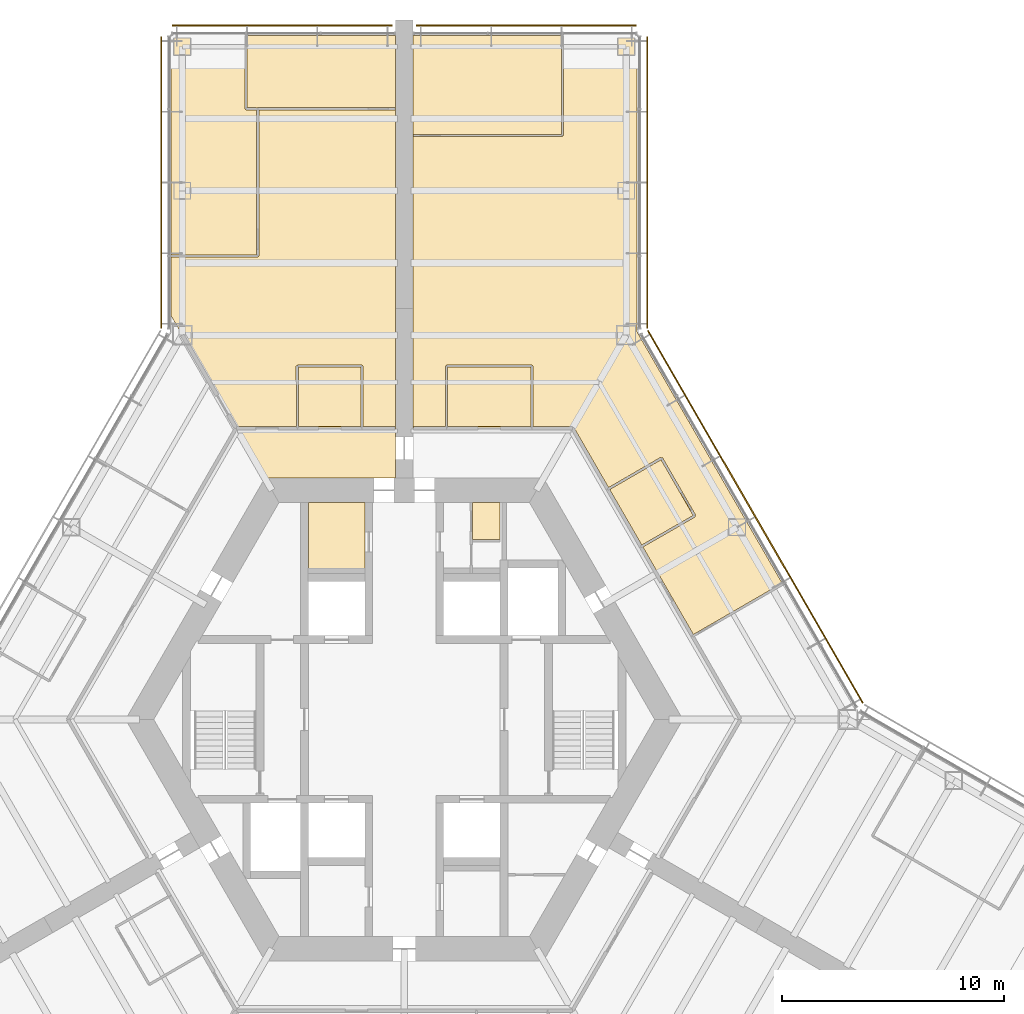
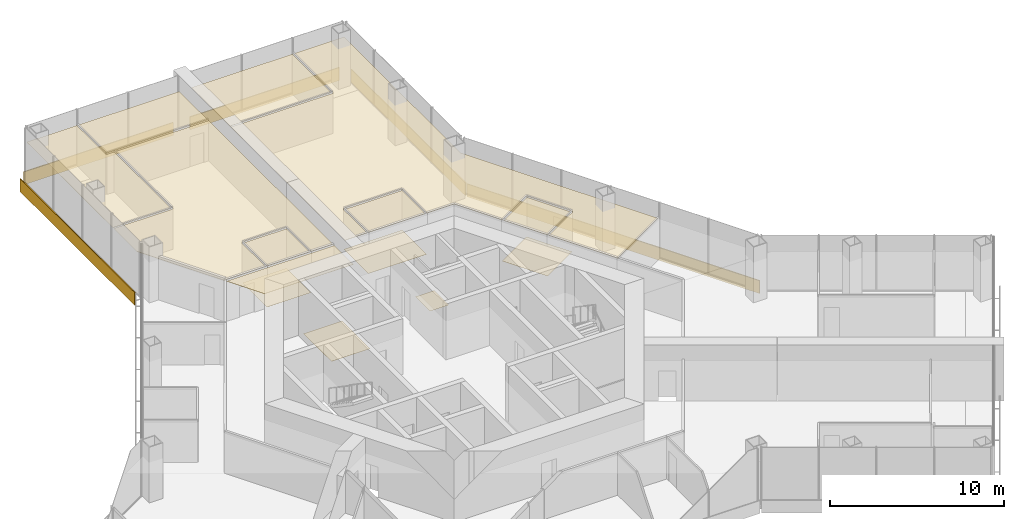
# One storey, part 18 of 18: 14 coverings, 5 shading devices.
"""IFC4 building model written with IfcOpenShell, lengths in metres."""

from ifc_helpers import new_model, si_unit, direction, frame, origin, origin_2d, place, context, subcontext, project, spatial, polyline, rectangle, outline, extrude, material, layer, layer_set, type_object, element, save


model = new_model("IFC4")

# Units and contexts
model_context = context("Model", 3, precision=1e-05, world=origin(), true_north=direction((0.0, 1.0)))
body_context = subcontext(model_context, "Body", "Model", "MODEL_VIEW")
ifc_project = project(units=[si_unit("LENGTHUNIT", "METRE"), si_unit("AREAUNIT", "SQUARE_METRE"), si_unit("VOLUMEUNIT", "CUBIC_METRE"), si_unit("PLANEANGLEUNIT", "RADIAN"), si_unit("MASSUNIT", "GRAM", prefix="KILO")], contexts=[model_context])

# Site, building, storey
site_placement = place(None, origin())
site = spatial("IfcSite", under=ifc_project, at=site_placement, CompositionType="ELEMENT")
building_placement = place(site_placement, origin())
building = spatial("IfcBuilding", under=site, at=building_placement, Name="Kasaneha Research Tower", CompositionType="ELEMENT")
storey_placement = place(building_placement, frame((0.0, 0.0, 111.89990234375)))
storey = spatial("IfcBuildingStorey", under=building, at=storey_placement, Name="L28", CompositionType="ELEMENT", Elevation=111.89990234375)

# Coverings
ifc_material_1 = material(Name="Gypsum ceiling board", Category="gypsum")
ifc_layer_1 = layer(ifc_material_1, 0.02001953125)
ifc_layer_set_1 = layer_set([ifc_layer_1], Name="Suspended ceiling 20")
covering_type_1 = type_object("IfcCoveringType", Name="Suspended ceiling 20", PredefinedType="CEILING", material=ifc_layer_set_1)
covering_1_placement = place(storey_placement, frame((0.0, 0.0, 2.800048828125)))
element("IfcCovering", 1, at=covering_1_placement, inside=storey, type_object=covering_type_1, Name="Ceiling L28-26", PredefinedType="CEILING", context=body_context, shape_type="SweptSolid", body=[
    extrude(outline(polyline([(1.954345703125, 13.199951171875), (1.9501953125, 15.875), (5.70703125, 15.875), (5.70263671875, 13.199951171875), (1.954345703125, 13.199951171875)])), origin(), (0.0, 0.0, 1.0), 0.02001953125),
])
covering_2_placement = place(storey_placement, frame((0.0, 0.0, 2.800048828125)))
element("IfcCovering", 2, at=covering_2_placement, inside=storey, type_object=covering_type_1, Name="Ceiling L28-27", PredefinedType="CEILING", context=body_context, shape_type="SweptSolid", body=[
    extrude(outline(polyline([(11.5732421875, 11.70458984375), (13.023193359375, 9.193359375), (10.704345703125, 7.859619140625), (9.2587890625, 10.363525390625), (11.5732421875, 11.70458984375)])), origin(), (0.0, 0.0, 1.0), 0.02001953125),
])
covering_3_placement = place(storey_placement, frame((0.0, 0.0, 2.800048828125)))
element("IfcCovering", 3, at=covering_3_placement, inside=storey, type_object=covering_type_1, Name="Ceiling L28-29", PredefinedType="CEILING", context=body_context, shape_type="SweptSolid", body=[
    extrude(outline(polyline([(7.13330078125, 30.820556640625), (7.13330078125, 30.800537109375), (7.083251953125, 30.800537109375), (7.083251953125, 26.37060546875), (0.419921875, 26.37060546875), (0.419921875, 26.320556640625), (0.39990234375, 26.320556640625), (0.39990234375, 30.820556640625), (7.13330078125, 30.820556640625)])), origin(), (0.0, 0.0, 1.0), 0.02001953125),
])
covering_4_placement = place(storey_placement, frame((0.0, 0.0, 2.800048828125)))
element("IfcCovering", 4, at=covering_4_placement, inside=storey, type_object=covering_type_1, Name="Ceiling L28-30", PredefinedType="CEILING", context=body_context, shape_type="SweptSolid", body=[
    extrude(outline(polyline([(13.092041015625, 9.1748046875), (13.091796875, 9.175048828125), (13.134765625, 9.199951171875), (11.634765625, 11.798095703125), (11.591796875, 11.773193359375), (11.591796875, 11.773193359375), (11.591552734375, 11.77294921875), (11.56640625, 11.816162109375), (9.208740234375, 10.449951171875), (7.642578125, 13.16259765625), (7.578125, 13.125244140625), (7.578125, 13.12548828125), (7.57763671875, 13.12548828125), (7.57763671875, 13.199951171875), (5.802734375, 13.199951171875), (5.806884765625, 15.9248046875), (5.757080078125, 15.925048828125), (5.757080078125, 15.925537109375), (5.757080078125, 15.925537109375), (5.757080078125, 15.97509765625), (1.89990234375, 15.97509765625), (1.89990234375, 15.925537109375), (1.899658203125, 15.925537109375), (1.899658203125, 15.925048828125), (1.85009765625, 15.9248046875), (1.8544921875, 13.199951171875), (0.419921875, 13.199951171875), (0.419921875, 13.12548828125), (0.39990234375, 13.12548828125), (0.39990234375, 26.320068359375), (0.419921875, 26.320068359375), (0.419921875, 26.2705078125), (7.13330078125, 26.2705078125), (7.13330078125, 26.320068359375), (7.133544921875, 26.320068359375), (7.133544921875, 26.320556640625), (7.183349609375, 26.320556640625), (7.183349609375, 30.800537109375), (7.1337890625, 30.800537109375), (7.1337890625, 30.820556640625), (10.5, 30.820556640625), (10.5, 17.45458984375), (17.055908203125, 6.09912109375), (17.055908203125, 6.09912109375), (17.03125, 6.14208984375), (13.031982421875, 3.828125), (10.75439453125, 7.77294921875), (13.116455078125, 9.131591796875), (13.091552734375, 9.174560546875), (13.092041015625, 9.1748046875)])), origin(), (0.0, 0.0, 1.0), 0.02001953125),
])
covering_5_placement = place(storey_placement, frame((0.0, 0.0, 2.800048828125)))
element("IfcCovering", 5, at=covering_5_placement, inside=storey, type_object=covering_type_1, Name="Ceiling L28-31", PredefinedType="CEILING", context=body_context, shape_type="SweptSolid", body=[
    extrude(outline(polyline([(-0.39990234375, 11.72509765625), (-0.39990234375, 10.875), (-6.278564453125, 10.875), (-7.534423828125, 13.050048828125), (-4.822021484375, 13.050048828125), (-4.8125, 13.050048828125), (-1.904541015625, 13.050048828125), (-1.89501953125, 13.050048828125), (-0.419921875, 13.050048828125), (-0.419921875, 13.125), (-0.39990234375, 13.125), (-0.39990234375, 12.72509765625), (-0.39990234375, 11.72509765625)])), origin(), (0.0, 0.0, 1.0), 0.02001953125),
])
covering_6_placement = place(storey_placement, frame((0.0, 0.0, 2.800048828125)))
element("IfcCovering", 6, at=covering_6_placement, inside=storey, type_object=covering_type_1, Name="Ceiling L28-32", PredefinedType="CEILING", context=body_context, shape_type="SweptSolid", body=[
    extrude(outline(polyline([(-4.7626953125, 13.199951171875), (-4.766845703125, 15.875), (-1.9501953125, 15.875), (-1.954345703125, 13.199951171875), (-4.7626953125, 13.199951171875)])), origin(), (0.0, 0.0, 1.0), 0.02001953125),
])
covering_7_placement = place(storey_placement, frame((0.0, 0.0, 2.800048828125)))
element("IfcCovering", 7, at=covering_7_placement, inside=storey, type_object=covering_type_1, Name="Ceiling L28-33", PredefinedType="CEILING", context=body_context, shape_type="SweptSolid", body=[
    extrude(outline(polyline([(-7.1337890625, 30.821044921875), (-7.1337890625, 30.800537109375), (-7.18359375, 30.800537109375), (-7.183349609375, 27.5205078125), (-7.13330078125, 27.5205078125), (-7.1337890625, 27.470458984375), (-6.654052734375, 27.466064453125), (-6.650146484375, 20.941162109375), (-10.5, 20.941162109375), (-10.5, 20.89111328125), (-10.50048828125, 30.820556640625), (-7.1337890625, 30.821044921875)])), origin(), (0.0, 0.0, 1.0), 0.02001953125),
])
covering_8_placement = place(storey_placement, frame((0.0, 0.0, 2.800048828125)))
element("IfcCovering", 8, at=covering_8_placement, inside=storey, type_object=covering_type_1, Name="Ceiling L28-34", PredefinedType="CEILING", context=body_context, shape_type="SweptSolid", body=[
    extrude(outline(polyline([(-0.39990234375, 27.5205078125), (-0.419921875, 27.5205078125), (-0.419921875, 27.570556640625), (-6.60400390625, 27.570556640625), (-6.60400390625, 27.5654296875), (-7.083251953125, 27.570068359375), (-7.083740234375, 30.800537109375), (-7.13330078125, 30.800537109375), (-7.13330078125, 30.820556640625), (-0.39990234375, 30.820556640625), (-0.39990234375, 27.5205078125)])), origin(), (0.0, 0.0, 1.0), 0.02001953125),
])
covering_9_placement = place(storey_placement, frame((0.0, 0.0, 2.800048828125)))
element("IfcCovering", 9, at=covering_9_placement, inside=storey, type_object=covering_type_1, Name="Ceiling L28-35", PredefinedType="CEILING", context=body_context, shape_type="SweptSolid", body=[
    extrude(outline(polyline([(-1.89990234375, 15.92529296875), (-1.89990234375, 15.97509765625), (-4.81689453125, 15.97509765625), (-4.81689453125, 15.925537109375), (-4.81689453125, 15.925048828125), (-4.866943359375, 15.9248046875), (-4.862548828125, 13.199951171875), (-7.5546875, 13.199951171875), (-7.5546875, 13.12548828125), (-7.577880859375, 13.12548828125), (-10.5, 18.1865234375), (-10.5, 20.841064453125), (-6.60009765625, 20.841064453125), (-6.60009765625, 20.890869140625), (-6.599609375, 20.890869140625), (-6.599609375, 20.89111328125), (-6.550048828125, 20.89111328125), (-6.553955078125, 27.470458984375), (-0.419921875, 27.470458984375), (-0.419921875, 27.52001953125), (-0.39990234375, 27.52001953125), (-0.39990234375, 13.12548828125), (-0.419921875, 13.12548828125), (-0.419921875, 13.199951171875), (-1.8544921875, 13.199951171875), (-1.85009765625, 15.9248046875), (-1.899658203125, 15.925048828125), (-1.899658203125, 15.92529296875), (-1.89990234375, 15.92529296875)])), origin(), (0.0, 0.0, 1.0), 0.02001953125),
])

# Shading devices
ifc_material_2 = material(Name="Terracotta", Category="masonry")
ifc_layer_2 = layer(ifc_material_2, 0.06005859375)
ifc_layer_set_2 = layer_set([ifc_layer_2], Name="Terracotta baguette screen")
shading_device_type = type_object("IfcShadingDeviceType", Name="Terracotta baguette screen", PredefinedType="USERDEFINED", material=ifc_layer_set_2)
shading_device_1_placement = place(storey_placement, frame((15.82275390625, 9.13525390625, -0.449951171875), z_axis=(0.0, 0.0, 1.0), x_axis=(-0.49999996188, 0.866025425793, 0.0)))
element("IfcShadingDevice", 10, at=shading_device_1_placement, inside=storey, type_object=shading_device_type, Name="Baguette screen L28 07", ObjectType="TERRACOTTA BAGUETTE SCREEN", PredefinedType="USERDEFINED", context=body_context, shape_type="SweptSolid", body=[
    extrude(rectangle(XDim=19.37841796875, YDim=0.06005859375, at=origin_2d()), origin(), (0.0, 0.0, 1.0), 0.89990234375),
])
shading_device_2_placement = place(storey_placement, frame((10.949951171875, 24.200927734375, -0.449951171875), z_axis=(0.0, 0.0, 1.0), x_axis=(0.0, 1.0, 0.0)))
element("IfcShadingDevice", 11, at=shading_device_2_placement, inside=storey, type_object=shading_device_type, Name="Baguette screen L28 08", ObjectType="TERRACOTTA BAGUETTE SCREEN", PredefinedType="USERDEFINED", context=body_context, shape_type="SweptSolid", body=[
    extrude(rectangle(XDim=13.13916015625, YDim=0.06005859375, at=origin_2d()), origin(), (0.0, 0.0, 1.0), 0.89990234375),
])
for number, where, z_axis, x_axis, name in (
    (12, (5.5, 31.2705078125, -0.449951171875), (0.0, 0.0, 1.0), (-1.0, 0.0, 0.0), "Baguette screen L28 09"),
    (13, (-5.5, 31.2705078125, -0.449951171875), (0.0, 0.0, 1.0), (-1.0, 0.0, 0.0), "Baguette screen L28 10"),
):
    element("IfcShadingDevice", number, at=place(storey_placement, frame(where, z_axis=z_axis, x_axis=x_axis)), inside=storey, type_object=shading_device_type, Name=name, ObjectType="TERRACOTTA BAGUETTE SCREEN", PredefinedType="USERDEFINED", context=body_context, shape_type="SweptSolid", body=[
        extrude(rectangle(XDim=9.89990234375, YDim=0.06005859375, at=origin_2d()), origin(), (0.0, 0.0, 1.0), 0.89990234375),
    ])
shading_device_3_placement = place(storey_placement, frame((-10.949951171875, 24.200927734375, -0.449951171875), z_axis=(0.0, 0.0, 1.0), x_axis=(0.0, -1.0, 0.0)))
element("IfcShadingDevice", 14, at=shading_device_3_placement, inside=storey, type_object=shading_device_type, Name="Baguette screen L28 11", ObjectType="TERRACOTTA BAGUETTE SCREEN", PredefinedType="USERDEFINED", context=body_context, shape_type="SweptSolid", body=[
    extrude(rectangle(XDim=13.13916015625, YDim=0.06005859375, at=origin_2d()), origin(), (0.0, 0.0, 1.0), 0.89990234375),
])

# Coverings
ifc_material_3 = material(Name="Vinyl sheet flooring", Category="plastic")
ifc_layer_3 = layer(ifc_material_3, 0.0048828125)
ifc_layer_set_3 = layer_set([ifc_layer_3], Name="Wet room sheet flooring 5")
covering_type_2 = type_object("IfcCoveringType", Name="Wet room sheet flooring 5", PredefinedType="FLOORING", material=ifc_layer_set_3)
covering_10_placement = place(storey_placement, origin())
element("IfcCovering", 15, at=covering_10_placement, inside=storey, type_object=covering_type_2, Name="Floor finish L28-06", PredefinedType="FLOORING", context=body_context, shape_type="SweptSolid", body=[
    extrude(outline(polyline([(-1.77490234375, 9.77490234375), (-1.77490234375, 6.574951171875), (-4.324951171875, 6.574951171875), (-4.324951171875, 9.77490234375), (-1.77490234375, 9.77490234375)])), origin(), (0.0, 0.0, 1.0), 0.005126953125),
])
covering_11_placement = place(storey_placement, origin())
element("IfcCovering", 16, at=covering_11_placement, inside=storey, type_object=covering_type_2, Name="Floor finish L28-08", PredefinedType="FLOORING", context=body_context, shape_type="SweptSolid", body=[
    extrude(outline(polyline([(4.324951171875, 8.10009765625), (3.074951171875, 8.10009765625), (3.074951171875, 9.77490234375), (4.324951171875, 9.77490234375), (4.324951171875, 8.10009765625)])), origin(), (0.0, 0.0, 1.0), 0.005126953125),
])
covering_12_placement = place(storey_placement, origin())
element("IfcCovering", 17, at=covering_12_placement, inside=storey, type_object=covering_type_2, Name="Floor finish L28-26", PredefinedType="FLOORING", context=body_context, shape_type="SweptSolid", body=[
    extrude(outline(polyline([(1.89990234375, 15.925048828125), (5.757080078125, 15.925048828125), (5.757080078125, 13.125), (1.89990234375, 13.125), (1.89990234375, 15.925048828125)])), origin(), (0.0, 0.0, 1.0), 0.005126953125),
])
covering_13_placement = place(storey_placement, origin())
element("IfcCovering", 18, at=covering_13_placement, inside=storey, type_object=covering_type_2, Name="Floor finish L28-27", PredefinedType="FLOORING", context=body_context, shape_type="SweptSolid", body=[
    extrude(outline(polyline([(11.591552734375, 11.77294921875), (13.091552734375, 9.175048828125), (10.66650390625, 7.77490234375), (9.16650390625, 10.373046875), (11.591552734375, 11.77294921875)])), origin(), (0.0, 0.0, 1.0), 0.005126953125),
])
covering_14_placement = place(storey_placement, origin())
element("IfcCovering", 19, at=covering_14_placement, inside=storey, type_object=covering_type_2, Name="Floor finish L28-32", PredefinedType="FLOORING", context=body_context, shape_type="SweptSolid", body=[
    extrude(outline(polyline([(-4.81689453125, 15.925048828125), (-1.89990234375, 15.925048828125), (-1.89990234375, 13.125), (-4.81689453125, 13.125), (-4.81689453125, 15.925048828125)])), origin(), (0.0, 0.0, 1.0), 0.005126953125),
])

save(model, "model.ifc")
